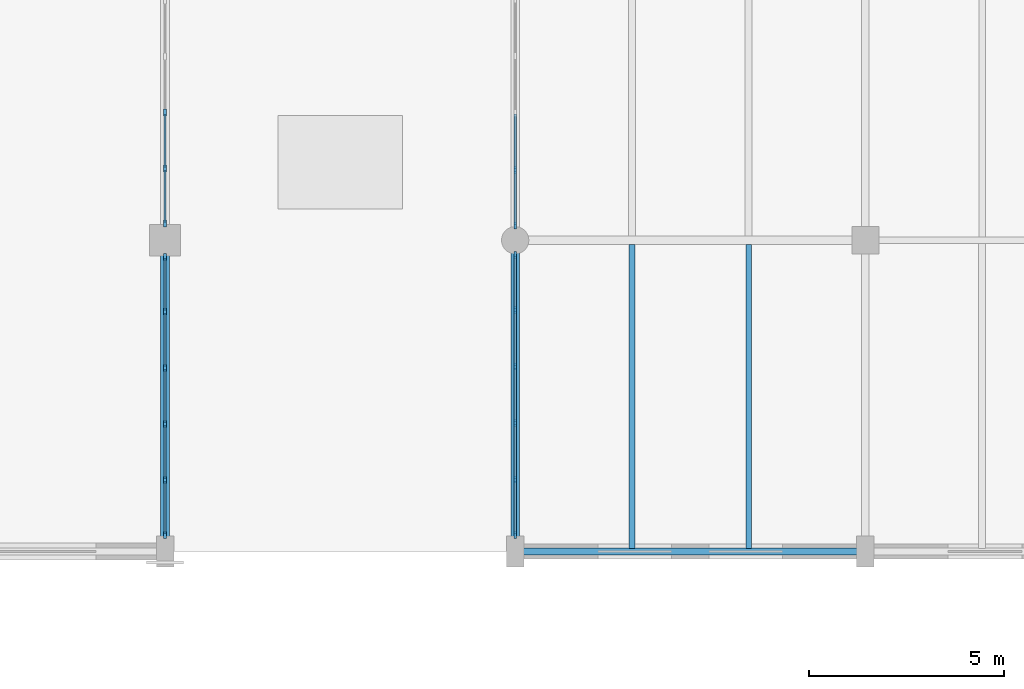
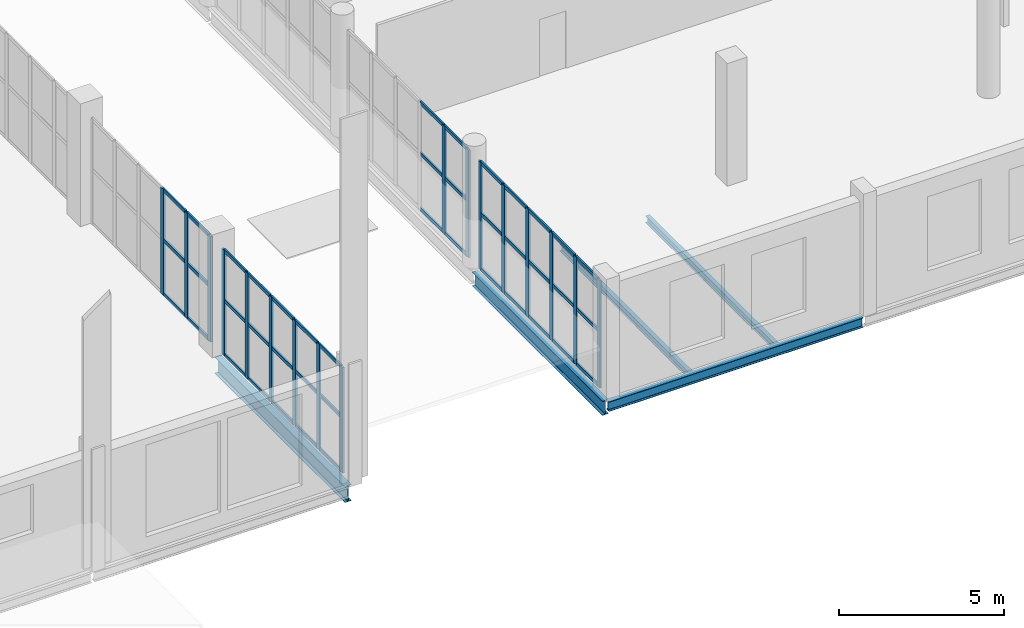
# One storey, part 31 of 93: 59 members, 5 beams, 4 elements without a shape of their own.
"""IFC4 building model written with IfcOpenShell, lengths in metres."""

from ifc_helpers import new_model, si_unit, direction, frame, origin, origin_2d, place, context, subcontext, project, spatial, rectangle, i_section, extrude, material, layer, layer_set, material_profile, profile_set, type_object, element, aggregate, save


model = new_model("IFC4")

# Units and contexts
model_context = context("Model", 3, precision=1e-05, world=origin(), true_north=direction((0.0, 1.0)))
body_context = subcontext(model_context, "Body", "Model", "MODEL_VIEW")
ifc_project = project(units=[si_unit("LENGTHUNIT", "METRE"), si_unit("AREAUNIT", "SQUARE_METRE"), si_unit("VOLUMEUNIT", "CUBIC_METRE"), si_unit("PLANEANGLEUNIT", "RADIAN"), si_unit("MASSUNIT", "GRAM", prefix="KILO")], contexts=[model_context])

# Site, building, storey
site_placement = place(None, origin())
site = spatial("IfcSite", under=ifc_project, at=site_placement, CompositionType="ELEMENT")
building_placement = place(site_placement, origin())
building = spatial("IfcBuilding", under=site, at=building_placement, Name="Marnock Terrace Opera House", CompositionType="ELEMENT")
storey_placement = place(building_placement, frame((0.0, 0.0, 5.39990234375)))
storey = spatial("IfcBuildingStorey", under=building, at=storey_placement, Name="L01", CompositionType="ELEMENT", Elevation=5.39990234375)

# Beams
ifc_material_1 = material(Name="Steel Grade 350 (AS/NZS 3679.1)", Category="steel")
ifc_material_profile_1 = material_profile(ifc_material_1, i_section(OverallWidth=0.208984375, OverallDepth=0.528076171875, WebThickness=0.009521484375, FlangeThickness=0.01318359375, FilletRadius=0.013916015625, at=origin_2d()))
ifc_profile_set_1 = profile_set([ifc_material_profile_1], Name="Steel Grade 350 (AS/NZS 3679.1)")
beam_type_1 = type_object("IfcBeamType", Name="BM-GIRD-530B", PredefinedType="BEAM", material=ifc_profile_set_1)
beam_1_placement = place(storey_placement, frame((118.0, 8.050048828125, -0.5439453125), z_axis=(0.0, 1.0, 0.0), x_axis=(-1.0, 0.0, 0.0)))
element("IfcBeam", 1, at=beam_1_placement, inside=storey, type_object=beam_type_1, Name="L01 girder (X=118.0, 8.0..16.0)", PredefinedType="BEAM", context=body_context, shape_type="SweptSolid", body=[
    extrude(i_section(OverallWidth=0.208984375, OverallDepth=0.528076171875, WebThickness=0.009521484375, FlangeThickness=0.01318359375, FilletRadius=0.013916015625, at=origin_2d()), origin(), (0.0, 0.0, 1.0), 7.89990234375),
])
ifc_material_profile_2 = material_profile(ifc_material_1, i_section(OverallWidth=0.22802734375, OverallDepth=0.60205078125, WebThickness=0.010498046875, FlangeThickness=0.014892578125, FilletRadius=0.013916015625, at=origin_2d()))
ifc_profile_set_2 = profile_set([ifc_material_profile_2], Name="Steel Grade 350 (AS/NZS 3679.1)")
beam_type_2 = type_object("IfcBeamType", Name="BM-GIRD-610C", PredefinedType="BEAM", material=ifc_profile_set_2)
beam_2_placement = place(storey_placement, frame((109.0, 8.050048828125, -0.580810546875), z_axis=(0.0, 1.0, 0.0), x_axis=(-1.0, 0.0, 0.0)))
element("IfcBeam", 2, at=beam_2_placement, inside=storey, type_object=beam_type_2, Name="L01 girder (X=109.0, 8.0..16.0)", PredefinedType="BEAM", context=body_context, shape_type="SweptSolid", body=[
    extrude(i_section(OverallWidth=0.22802734375, OverallDepth=0.60205078125, WebThickness=0.010498046875, FlangeThickness=0.014892578125, FilletRadius=0.013916015625, at=origin_2d()), origin(), (0.0, 0.0, 1.0), 7.89990234375),
])
ifc_material_profile_3 = material_profile(ifc_material_1, i_section(OverallWidth=0.14599609375, OverallDepth=0.256103515625, WebThickness=0.00634765625, FlangeThickness=0.010986328125, FilletRadius=0.0087890625, at=origin_2d()))
ifc_profile_set_3 = profile_set([ifc_material_profile_3], Name="Steel Grade 350 (AS/NZS 3679.1)")
beam_type_3 = type_object("IfcBeamType", Name="BM-JOIST-250", PredefinedType="JOIST", material=ifc_profile_set_3)
for number, where, z_axis, x_axis, name in (
    (3, (121.0, 8.0810546875, -0.407958984375), (0.0, 1.0, 0.0), (-1.0, 0.0, 0.0), "L01 secondary joist 13.1.1"),
    (4, (124.0, 8.0810546875, -0.407958984375), (0.0, 1.0, 0.0), (-1.0, 0.0, 0.0), "L01 secondary joist 13.1.2"),
):
    element("IfcBeam", number, at=place(storey_placement, frame(where, z_axis=z_axis, x_axis=x_axis)), inside=storey, type_object=beam_type_3, Name=name, PredefinedType="JOIST", context=body_context, shape_type="SweptSolid", body=[
        extrude(i_section(OverallWidth=0.14599609375, OverallDepth=0.256103515625, WebThickness=0.00634765625, FlangeThickness=0.010986328125, FilletRadius=0.0087890625, at=origin_2d()), origin(), (0.0, 0.0, 1.0), 7.809326171875),
    ])
ifc_material_profile_4 = material_profile(ifc_material_1, i_section(OverallWidth=0.172119140625, OverallDepth=0.358642578125, WebThickness=0.008056640625, FlangeThickness=0.012939453125, FilletRadius=0.011474609375, at=origin_2d()))
ifc_profile_set_4 = profile_set([ifc_material_profile_4], Name="Steel Grade 350 (AS/NZS 3679.1)")
beam_type_4 = type_object("IfcBeamType", Name="BM-SPAN-360", PredefinedType="SPANDREL", material=ifc_profile_set_4)
beam_3_placement = place(storey_placement, frame((118.050048828125, 8.0, -0.459228515625), z_axis=(1.0, 0.0, 0.0), x_axis=(0.0, 1.0, 0.0)))
element("IfcBeam", 5, at=beam_3_placement, inside=storey, type_object=beam_type_4, Name="L01 girder (118.0..127.0, Y=8.0)", PredefinedType="SPANDREL", context=body_context, shape_type="SweptSolid", body=[
    extrude(i_section(OverallWidth=0.172119140625, OverallDepth=0.358642578125, WebThickness=0.008056640625, FlangeThickness=0.012939453125, FilletRadius=0.011474609375, at=origin_2d()), origin(), (0.0, 0.0, 1.0), 8.89990234375),
])

# Curtain wall, members
ifc_material_2 = material(Name="Anodised architectural bronze aluminium framing", Category="aluminium")
ifc_layer_1 = layer(ifc_material_2, 0.159912109375)
ifc_layer_set_1 = layer_set([ifc_layer_1], Name="Anodised architectural bronze aluminium framing")
curtain_wall_type_1 = type_object("IfcCurtainWallType", Name="CW-FOYER-80x45", PredefinedType="NOTDEFINED", material=ifc_layer_set_1)
curtain_wall_1_placement = place(storey_placement, origin())
curtain_wall_1 = element("IfcCurtainWall", 6, at=curtain_wall_1_placement, inside=storey, type_object=curtain_wall_type_1, Name="L01 glazed Beaux-Arts colonnade curtain wall CW-V1E-L01-01", PredefinedType="NOTDEFINED")
ifc_material_profile_5 = material_profile(ifc_material_2, rectangle(XDim=0.06494140625, YDim=0.179931640625, at=origin_2d()))
ifc_profile_set_5 = profile_set([ifc_material_profile_5], Name="Anodised architectural bronze aluminium framing")
member_type_1 = type_object("IfcMemberType", Name="CWM-65x180", PredefinedType="MULLION", material=ifc_profile_set_5)
member_1_placement = place(storey_placement, frame((109.0, 8.426025390625, 0.0), z_axis=(0.0, 0.0, 1.0), x_axis=(-1.0, 0.0, 0.0)))
member_1 = element("IfcMember", 7, at=member_1_placement, type_object=member_type_1, Name="CW-87 mullion 1", PredefinedType="MULLION", context=body_context, shape_type="SweptSolid", body=[
    extrude(rectangle(XDim=0.06494140625, YDim=0.179931640625, at=origin_2d()), origin(), (0.0, 0.0, 1.0), 3.908203125),
])
member_2_placement = place(storey_placement, frame((109.0, 9.837646484375, 0.0), z_axis=(0.0, 0.0, 1.0), x_axis=(-1.0, 0.0, 0.0)))
member_2 = element("IfcMember", 8, at=member_2_placement, type_object=member_type_1, Name="CW-87 mullion 2", PredefinedType="MULLION", context=body_context, shape_type="SweptSolid", body=[
    extrude(rectangle(XDim=0.06494140625, YDim=0.179931640625, at=origin_2d()), origin(), (0.0, 0.0, 1.0), 3.908203125),
])
member_3_placement = place(storey_placement, frame((109.0, 11.279296875, 0.0), z_axis=(0.0, 0.0, 1.0), x_axis=(-1.0, 0.0, 0.0)))
member_3 = element("IfcMember", 9, at=member_3_placement, type_object=member_type_1, Name="CW-87 mullion 3", PredefinedType="MULLION", context=body_context, shape_type="SweptSolid", body=[
    extrude(rectangle(XDim=0.06494140625, YDim=0.179931640625, at=origin_2d()), origin(), (0.0, 0.0, 1.0), 3.908203125),
])
member_4_placement = place(storey_placement, frame((109.0, 12.720703125, 0.0), z_axis=(0.0, 0.0, 1.0), x_axis=(-1.0, 0.0, 0.0)))
member_4 = element("IfcMember", 10, at=member_4_placement, type_object=member_type_1, Name="CW-87 mullion 4", PredefinedType="MULLION", context=body_context, shape_type="SweptSolid", body=[
    extrude(rectangle(XDim=0.06494140625, YDim=0.179931640625, at=origin_2d()), origin(), (0.0, 0.0, 1.0), 3.908203125),
])
member_5_placement = place(storey_placement, frame((109.0, 14.162353515625, 0.0), z_axis=(0.0, 0.0, 1.0), x_axis=(-1.0, 0.0, 0.0)))
member_5 = element("IfcMember", 11, at=member_5_placement, type_object=member_type_1, Name="CW-87 mullion 5", PredefinedType="MULLION", context=body_context, shape_type="SweptSolid", body=[
    extrude(rectangle(XDim=0.06494140625, YDim=0.179931640625, at=origin_2d()), origin(), (0.0, 0.0, 1.0), 3.908203125),
])
member_6_placement = place(storey_placement, frame((109.0, 15.573974609375, 0.0), z_axis=(0.0, 0.0, 1.0), x_axis=(-1.0, 0.0, 0.0)))
member_6 = element("IfcMember", 12, at=member_6_placement, type_object=member_type_1, Name="CW-87 mullion 6", PredefinedType="MULLION", context=body_context, shape_type="SweptSolid", body=[
    extrude(rectangle(XDim=0.06494140625, YDim=0.179931640625, at=origin_2d()), origin(), (0.0, 0.0, 1.0), 3.908203125),
])

curtain_wall_2_placement = place(storey_placement, origin())
curtain_wall_2 = element("IfcCurtainWall", 13, at=curtain_wall_2_placement, inside=storey, type_object=curtain_wall_type_1, Name="L01 glazed Beaux-Arts colonnade curtain wall CW-V1E-L01-02", PredefinedType="NOTDEFINED")
member_7_placement = place(storey_placement, frame((109.0, 16.426025390625, 0.0), z_axis=(0.0, 0.0, 1.0), x_axis=(-1.0, 0.0, 0.0)))
member_7 = element("IfcMember", 14, at=member_7_placement, type_object=member_type_1, Name="CW-87 mullion 1", PredefinedType="MULLION", context=body_context, shape_type="SweptSolid", body=[
    extrude(rectangle(XDim=0.06494140625, YDim=0.179931640625, at=origin_2d()), origin(), (0.0, 0.0, 1.0), 3.908203125),
])
member_8_placement = place(storey_placement, frame((109.0, 17.837646484375, 0.0), z_axis=(0.0, 0.0, 1.0), x_axis=(-1.0, 0.0, 0.0)))
member_8 = element("IfcMember", 15, at=member_8_placement, type_object=member_type_1, Name="CW-87 mullion 2", PredefinedType="MULLION", context=body_context, shape_type="SweptSolid", body=[
    extrude(rectangle(XDim=0.06494140625, YDim=0.179931640625, at=origin_2d()), origin(), (0.0, 0.0, 1.0), 3.908203125),
])
member_9_placement = place(storey_placement, frame((109.0, 19.279296875, 0.0), z_axis=(0.0, 0.0, 1.0), x_axis=(-1.0, 0.0, 0.0)))
member_9 = element("IfcMember", 16, at=member_9_placement, type_object=member_type_1, Name="CW-87 mullion 3", PredefinedType="MULLION", context=body_context, shape_type="SweptSolid", body=[
    extrude(rectangle(XDim=0.06494140625, YDim=0.179931640625, at=origin_2d()), origin(), (0.0, 0.0, 1.0), 3.908203125),
])

ifc_layer_2 = layer(ifc_material_2, 0.159912109375)
ifc_layer_set_2 = layer_set([ifc_layer_2], Name="Anodised architectural bronze aluminium framing")
curtain_wall_type_2 = type_object("IfcCurtainWallType", Name="CW-LOGGIA-86x45", PredefinedType="NOTDEFINED", material=ifc_layer_set_2)
curtain_wall_3_placement = place(storey_placement, origin())
curtain_wall_3 = element("IfcCurtainWall", 17, at=curtain_wall_3_placement, inside=storey, type_object=curtain_wall_type_2, Name="L01 glazed Beaux-Arts colonnade curtain wall CW-V5-L01-W1", PredefinedType="NOTDEFINED")
member_10_placement = place(storey_placement, frame((118.0, 8.426025390625, 0.0), z_axis=(0.0, 0.0, 1.0), x_axis=(-1.0, 0.0, 0.0)))
member_10 = element("IfcMember", 18, at=member_10_placement, type_object=member_type_1, Name="CW-61 mullion 1", PredefinedType="MULLION", context=body_context, shape_type="SweptSolid", body=[
    extrude(rectangle(XDim=0.06494140625, YDim=0.179931640625, at=origin_2d()), origin(), (0.0, 0.0, 1.0), 3.982177734375),
])
member_11_placement = place(storey_placement, frame((118.0, 9.84765625, 0.0), z_axis=(0.0, 0.0, 1.0), x_axis=(-1.0, 0.0, 0.0)))
member_11 = element("IfcMember", 19, at=member_11_placement, type_object=member_type_1, Name="CW-61 mullion 2", PredefinedType="MULLION", context=body_context, shape_type="SweptSolid", body=[
    extrude(rectangle(XDim=0.06494140625, YDim=0.179931640625, at=origin_2d()), origin(), (0.0, 0.0, 1.0), 3.982177734375),
])
member_12_placement = place(storey_placement, frame((118.0, 11.29931640625, 0.0), z_axis=(0.0, 0.0, 1.0), x_axis=(-1.0, 0.0, 0.0)))
member_12 = element("IfcMember", 20, at=member_12_placement, type_object=member_type_1, Name="CW-61 mullion 3", PredefinedType="MULLION", context=body_context, shape_type="SweptSolid", body=[
    extrude(rectangle(XDim=0.06494140625, YDim=0.179931640625, at=origin_2d()), origin(), (0.0, 0.0, 1.0), 3.982177734375),
])
member_13_placement = place(storey_placement, frame((118.0, 12.750732421875, 0.0), z_axis=(0.0, 0.0, 1.0), x_axis=(-1.0, 0.0, 0.0)))
member_13 = element("IfcMember", 21, at=member_13_placement, type_object=member_type_1, Name="CW-61 mullion 4", PredefinedType="MULLION", context=body_context, shape_type="SweptSolid", body=[
    extrude(rectangle(XDim=0.06494140625, YDim=0.179931640625, at=origin_2d()), origin(), (0.0, 0.0, 1.0), 3.982177734375),
])
member_14_placement = place(storey_placement, frame((118.0, 14.202392578125, 0.0), z_axis=(0.0, 0.0, 1.0), x_axis=(-1.0, 0.0, 0.0)))
member_14 = element("IfcMember", 22, at=member_14_placement, type_object=member_type_1, Name="CW-61 mullion 5", PredefinedType="MULLION", context=body_context, shape_type="SweptSolid", body=[
    extrude(rectangle(XDim=0.06494140625, YDim=0.179931640625, at=origin_2d()), origin(), (0.0, 0.0, 1.0), 3.982177734375),
])
member_15_placement = place(storey_placement, frame((118.0, 15.6240234375, 0.0), z_axis=(0.0, 0.0, 1.0), x_axis=(-1.0, 0.0, 0.0)))
member_15 = element("IfcMember", 23, at=member_15_placement, type_object=member_type_1, Name="CW-61 mullion 6", PredefinedType="MULLION", context=body_context, shape_type="SweptSolid", body=[
    extrude(rectangle(XDim=0.06494140625, YDim=0.179931640625, at=origin_2d()), origin(), (0.0, 0.0, 1.0), 3.982177734375),
])

curtain_wall_4_placement = place(storey_placement, origin())
curtain_wall_4 = element("IfcCurtainWall", 24, at=curtain_wall_4_placement, inside=storey, type_object=curtain_wall_type_2, Name="L01 glazed Beaux-Arts colonnade curtain wall CW-V5-L01-W2", PredefinedType="NOTDEFINED")
member_16_placement = place(storey_placement, frame((118.0, 16.3759765625, 0.0), z_axis=(0.0, 0.0, 1.0), x_axis=(-1.0, 0.0, 0.0)))
member_16 = element("IfcMember", 25, at=member_16_placement, type_object=member_type_1, Name="CW-61 mullion 1", PredefinedType="MULLION", context=body_context, shape_type="SweptSolid", body=[
    extrude(rectangle(XDim=0.06494140625, YDim=0.179931640625, at=origin_2d()), origin(), (0.0, 0.0, 1.0), 3.982177734375),
])
member_17_placement = place(storey_placement, frame((118.0, 17.8076171875, 0.0), z_axis=(0.0, 0.0, 1.0), x_axis=(-1.0, 0.0, 0.0)))
member_17 = element("IfcMember", 26, at=member_17_placement, type_object=member_type_1, Name="CW-61 mullion 2", PredefinedType="MULLION", context=body_context, shape_type="SweptSolid", body=[
    extrude(rectangle(XDim=0.06494140625, YDim=0.179931640625, at=origin_2d()), origin(), (0.0, 0.0, 1.0), 3.982177734375),
])

# Member
ifc_material_profile_6 = material_profile(ifc_material_2, rectangle(XDim=0.06005859375, YDim=0.1298828125, at=origin_2d()))
ifc_profile_set_6 = profile_set([ifc_material_profile_6], Name="Anodised architectural bronze aluminium framing")
member_type_2 = type_object("IfcMemberType", Name="CWT-60x130", PredefinedType="USERDEFINED", material=ifc_profile_set_6)
member_18_placement = place(storey_placement, frame((109.0, 8.4560546875, 0.030029296875), z_axis=(0.0, 1.0, 0.0), x_axis=(-1.0, 0.0, 0.0)))
member_18 = element("IfcMember", 27, at=member_18_placement, type_object=member_type_2, Name="CW-87 transom 1.1", ObjectType="TRANSOM", PredefinedType="USERDEFINED", context=body_context, shape_type="SweptSolid", body=[
    extrude(rectangle(XDim=0.06005859375, YDim=0.1298828125, at=origin_2d()), origin(), (0.0, 0.0, 1.0), 1.3515625),
])

member_19_placement = place(storey_placement, frame((109.0, 8.4560546875, 2.0322265625), z_axis=(0.0, 1.0, 0.0), x_axis=(-1.0, 0.0, 0.0)))
member_19 = element("IfcMember", 28, at=member_19_placement, type_object=member_type_2, Name="CW-87 transom 1.2", ObjectType="TRANSOM", PredefinedType="USERDEFINED", context=body_context, shape_type="SweptSolid", body=[
    extrude(rectangle(XDim=0.06005859375, YDim=0.1298828125, at=origin_2d()), origin(), (0.0, 0.0, 1.0), 1.3515625),
])

member_20_placement = place(storey_placement, frame((109.0, 8.4560546875, 3.878173828125), z_axis=(0.0, 1.0, 0.0), x_axis=(-1.0, 0.0, 0.0)))
member_20 = element("IfcMember", 29, at=member_20_placement, type_object=member_type_2, Name="CW-87 transom 1.3", ObjectType="TRANSOM", PredefinedType="USERDEFINED", context=body_context, shape_type="SweptSolid", body=[
    extrude(rectangle(XDim=0.06005859375, YDim=0.1298828125, at=origin_2d()), origin(), (0.0, 0.0, 1.0), 1.3515625),
])

member_21_placement = place(storey_placement, frame((109.0, 9.86767578125, 0.030029296875), z_axis=(0.0, 1.0, 0.0), x_axis=(-1.0, 0.0, 0.0)))
member_21 = element("IfcMember", 30, at=member_21_placement, type_object=member_type_2, Name="CW-87 transom 2.1", ObjectType="TRANSOM", PredefinedType="USERDEFINED", context=body_context, shape_type="SweptSolid", body=[
    extrude(rectangle(XDim=0.06005859375, YDim=0.1298828125, at=origin_2d()), origin(), (0.0, 0.0, 1.0), 1.381591796875),
])

member_22_placement = place(storey_placement, frame((109.0, 9.86767578125, 2.0322265625), z_axis=(0.0, 1.0, 0.0), x_axis=(-1.0, 0.0, 0.0)))
member_22 = element("IfcMember", 31, at=member_22_placement, type_object=member_type_2, Name="CW-87 transom 2.2", ObjectType="TRANSOM", PredefinedType="USERDEFINED", context=body_context, shape_type="SweptSolid", body=[
    extrude(rectangle(XDim=0.06005859375, YDim=0.1298828125, at=origin_2d()), origin(), (0.0, 0.0, 1.0), 1.381591796875),
])

member_23_placement = place(storey_placement, frame((109.0, 9.86767578125, 3.878173828125), z_axis=(0.0, 1.0, 0.0), x_axis=(-1.0, 0.0, 0.0)))
member_23 = element("IfcMember", 32, at=member_23_placement, type_object=member_type_2, Name="CW-87 transom 2.3", ObjectType="TRANSOM", PredefinedType="USERDEFINED", context=body_context, shape_type="SweptSolid", body=[
    extrude(rectangle(XDim=0.06005859375, YDim=0.1298828125, at=origin_2d()), origin(), (0.0, 0.0, 1.0), 1.381591796875),
])

member_24_placement = place(storey_placement, frame((109.0, 11.30908203125, 0.030029296875), z_axis=(0.0, 1.0, 0.0), x_axis=(-1.0, 0.0, 0.0)))
member_24 = element("IfcMember", 33, at=member_24_placement, type_object=member_type_2, Name="CW-87 transom 3.1", ObjectType="TRANSOM", PredefinedType="USERDEFINED", context=body_context, shape_type="SweptSolid", body=[
    extrude(rectangle(XDim=0.06005859375, YDim=0.1298828125, at=origin_2d()), origin(), (0.0, 0.0, 1.0), 1.3818359375),
])

member_25_placement = place(storey_placement, frame((109.0, 11.30908203125, 2.0322265625), z_axis=(0.0, 1.0, 0.0), x_axis=(-1.0, 0.0, 0.0)))
member_25 = element("IfcMember", 34, at=member_25_placement, type_object=member_type_2, Name="CW-87 transom 3.2", ObjectType="TRANSOM", PredefinedType="USERDEFINED", context=body_context, shape_type="SweptSolid", body=[
    extrude(rectangle(XDim=0.06005859375, YDim=0.1298828125, at=origin_2d()), origin(), (0.0, 0.0, 1.0), 1.3818359375),
])

member_26_placement = place(storey_placement, frame((109.0, 11.30908203125, 3.878173828125), z_axis=(0.0, 1.0, 0.0), x_axis=(-1.0, 0.0, 0.0)))
member_26 = element("IfcMember", 35, at=member_26_placement, type_object=member_type_2, Name="CW-87 transom 3.3", ObjectType="TRANSOM", PredefinedType="USERDEFINED", context=body_context, shape_type="SweptSolid", body=[
    extrude(rectangle(XDim=0.06005859375, YDim=0.1298828125, at=origin_2d()), origin(), (0.0, 0.0, 1.0), 1.3818359375),
])

member_27_placement = place(storey_placement, frame((109.0, 12.750732421875, 0.030029296875), z_axis=(0.0, 1.0, 0.0), x_axis=(-1.0, 0.0, 0.0)))
member_27 = element("IfcMember", 36, at=member_27_placement, type_object=member_type_2, Name="CW-87 transom 4.1", ObjectType="TRANSOM", PredefinedType="USERDEFINED", context=body_context, shape_type="SweptSolid", body=[
    extrude(rectangle(XDim=0.06005859375, YDim=0.1298828125, at=origin_2d()), origin(), (0.0, 0.0, 1.0), 1.381591796875),
])

member_28_placement = place(storey_placement, frame((109.0, 12.750732421875, 2.0322265625), z_axis=(0.0, 1.0, 0.0), x_axis=(-1.0, 0.0, 0.0)))
member_28 = element("IfcMember", 37, at=member_28_placement, type_object=member_type_2, Name="CW-87 transom 4.2", ObjectType="TRANSOM", PredefinedType="USERDEFINED", context=body_context, shape_type="SweptSolid", body=[
    extrude(rectangle(XDim=0.06005859375, YDim=0.1298828125, at=origin_2d()), origin(), (0.0, 0.0, 1.0), 1.381591796875),
])

member_29_placement = place(storey_placement, frame((109.0, 12.750732421875, 3.878173828125), z_axis=(0.0, 1.0, 0.0), x_axis=(-1.0, 0.0, 0.0)))
member_29 = element("IfcMember", 38, at=member_29_placement, type_object=member_type_2, Name="CW-87 transom 4.3", ObjectType="TRANSOM", PredefinedType="USERDEFINED", context=body_context, shape_type="SweptSolid", body=[
    extrude(rectangle(XDim=0.06005859375, YDim=0.1298828125, at=origin_2d()), origin(), (0.0, 0.0, 1.0), 1.381591796875),
])

member_30_placement = place(storey_placement, frame((109.0, 14.1923828125, 0.030029296875), z_axis=(0.0, 1.0, 0.0), x_axis=(-1.0, 0.0, 0.0)))
member_30 = element("IfcMember", 39, at=member_30_placement, type_object=member_type_2, Name="CW-87 transom 5.1", ObjectType="TRANSOM", PredefinedType="USERDEFINED", context=body_context, shape_type="SweptSolid", body=[
    extrude(rectangle(XDim=0.06005859375, YDim=0.1298828125, at=origin_2d()), origin(), (0.0, 0.0, 1.0), 1.3515625),
])

member_31_placement = place(storey_placement, frame((109.0, 14.1923828125, 2.0322265625), z_axis=(0.0, 1.0, 0.0), x_axis=(-1.0, 0.0, 0.0)))
member_31 = element("IfcMember", 40, at=member_31_placement, type_object=member_type_2, Name="CW-87 transom 5.2", ObjectType="TRANSOM", PredefinedType="USERDEFINED", context=body_context, shape_type="SweptSolid", body=[
    extrude(rectangle(XDim=0.06005859375, YDim=0.1298828125, at=origin_2d()), origin(), (0.0, 0.0, 1.0), 1.3515625),
])

member_32_placement = place(storey_placement, frame((109.0, 14.1923828125, 3.878173828125), z_axis=(0.0, 1.0, 0.0), x_axis=(-1.0, 0.0, 0.0)))
member_32 = element("IfcMember", 41, at=member_32_placement, type_object=member_type_2, Name="CW-87 transom 5.3", ObjectType="TRANSOM", PredefinedType="USERDEFINED", context=body_context, shape_type="SweptSolid", body=[
    extrude(rectangle(XDim=0.06005859375, YDim=0.1298828125, at=origin_2d()), origin(), (0.0, 0.0, 1.0), 1.3515625),
])

aggregate(curtain_wall_1, [member_1, member_2, member_3, member_4, member_5, member_6, member_18, member_19, member_20, member_21, member_22, member_23, member_24, member_25, member_26, member_27, member_28, member_29, member_30, member_31, member_32])

member_33_placement = place(storey_placement, frame((109.0, 16.4560546875, 0.030029296875), z_axis=(0.0, 1.0, 0.0), x_axis=(-1.0, 0.0, 0.0)))
member_33 = element("IfcMember", 42, at=member_33_placement, type_object=member_type_2, Name="CW-87 transom 1.1", ObjectType="TRANSOM", PredefinedType="USERDEFINED", context=body_context, shape_type="SweptSolid", body=[
    extrude(rectangle(XDim=0.06005859375, YDim=0.1298828125, at=origin_2d()), origin(), (0.0, 0.0, 1.0), 1.3515625),
])

member_34_placement = place(storey_placement, frame((109.0, 16.4560546875, 2.0322265625), z_axis=(0.0, 1.0, 0.0), x_axis=(-1.0, 0.0, 0.0)))
member_34 = element("IfcMember", 43, at=member_34_placement, type_object=member_type_2, Name="CW-87 transom 1.2", ObjectType="TRANSOM", PredefinedType="USERDEFINED", context=body_context, shape_type="SweptSolid", body=[
    extrude(rectangle(XDim=0.06005859375, YDim=0.1298828125, at=origin_2d()), origin(), (0.0, 0.0, 1.0), 1.3515625),
])

member_35_placement = place(storey_placement, frame((109.0, 16.4560546875, 3.878173828125), z_axis=(0.0, 1.0, 0.0), x_axis=(-1.0, 0.0, 0.0)))
member_35 = element("IfcMember", 44, at=member_35_placement, type_object=member_type_2, Name="CW-87 transom 1.3", ObjectType="TRANSOM", PredefinedType="USERDEFINED", context=body_context, shape_type="SweptSolid", body=[
    extrude(rectangle(XDim=0.06005859375, YDim=0.1298828125, at=origin_2d()), origin(), (0.0, 0.0, 1.0), 1.3515625),
])

member_36_placement = place(storey_placement, frame((109.0, 17.86767578125, 0.030029296875), z_axis=(0.0, 1.0, 0.0), x_axis=(-1.0, 0.0, 0.0)))
member_36 = element("IfcMember", 45, at=member_36_placement, type_object=member_type_2, Name="CW-87 transom 2.1", ObjectType="TRANSOM", PredefinedType="USERDEFINED", context=body_context, shape_type="SweptSolid", body=[
    extrude(rectangle(XDim=0.06005859375, YDim=0.1298828125, at=origin_2d()), origin(), (0.0, 0.0, 1.0), 1.381591796875),
])

member_37_placement = place(storey_placement, frame((109.0, 17.86767578125, 2.0322265625), z_axis=(0.0, 1.0, 0.0), x_axis=(-1.0, 0.0, 0.0)))
member_37 = element("IfcMember", 46, at=member_37_placement, type_object=member_type_2, Name="CW-87 transom 2.2", ObjectType="TRANSOM", PredefinedType="USERDEFINED", context=body_context, shape_type="SweptSolid", body=[
    extrude(rectangle(XDim=0.06005859375, YDim=0.1298828125, at=origin_2d()), origin(), (0.0, 0.0, 1.0), 1.381591796875),
])

member_38_placement = place(storey_placement, frame((109.0, 17.86767578125, 3.878173828125), z_axis=(0.0, 1.0, 0.0), x_axis=(-1.0, 0.0, 0.0)))
member_38 = element("IfcMember", 47, at=member_38_placement, type_object=member_type_2, Name="CW-87 transom 2.3", ObjectType="TRANSOM", PredefinedType="USERDEFINED", context=body_context, shape_type="SweptSolid", body=[
    extrude(rectangle(XDim=0.06005859375, YDim=0.1298828125, at=origin_2d()), origin(), (0.0, 0.0, 1.0), 1.381591796875),
])

aggregate(curtain_wall_2, [member_7, member_8, member_9, member_33, member_34, member_35, member_36, member_37, member_38])

member_39_placement = place(storey_placement, frame((118.0, 8.4560546875, 0.030029296875), z_axis=(0.0, 1.0, 0.0), x_axis=(-1.0, 0.0, 0.0)))
member_39 = element("IfcMember", 48, at=member_39_placement, type_object=member_type_2, Name="CW-61 transom 1.1", ObjectType="TRANSOM", PredefinedType="USERDEFINED", context=body_context, shape_type="SweptSolid", body=[
    extrude(rectangle(XDim=0.06005859375, YDim=0.1298828125, at=origin_2d()), origin(), (0.0, 0.0, 1.0), 1.361572265625),
])

member_40_placement = place(storey_placement, frame((118.0, 8.4560546875, 2.07080078125), z_axis=(0.0, 1.0, 0.0), x_axis=(-1.0, 0.0, 0.0)))
member_40 = element("IfcMember", 49, at=member_40_placement, type_object=member_type_2, Name="CW-61 transom 1.2", ObjectType="TRANSOM", PredefinedType="USERDEFINED", context=body_context, shape_type="SweptSolid", body=[
    extrude(rectangle(XDim=0.06005859375, YDim=0.1298828125, at=origin_2d()), origin(), (0.0, 0.0, 1.0), 1.361572265625),
])

member_41_placement = place(storey_placement, frame((118.0, 8.4560546875, 3.9521484375), z_axis=(0.0, 1.0, 0.0), x_axis=(-1.0, 0.0, 0.0)))
member_41 = element("IfcMember", 50, at=member_41_placement, type_object=member_type_2, Name="CW-61 transom 1.3", ObjectType="TRANSOM", PredefinedType="USERDEFINED", context=body_context, shape_type="SweptSolid", body=[
    extrude(rectangle(XDim=0.06005859375, YDim=0.1298828125, at=origin_2d()), origin(), (0.0, 0.0, 1.0), 1.361572265625),
])

member_42_placement = place(storey_placement, frame((118.0, 9.877685546875, 0.030029296875), z_axis=(0.0, 1.0, 0.0), x_axis=(-1.0, 0.0, 0.0)))
member_42 = element("IfcMember", 51, at=member_42_placement, type_object=member_type_2, Name="CW-61 transom 2.1", ObjectType="TRANSOM", PredefinedType="USERDEFINED", context=body_context, shape_type="SweptSolid", body=[
    extrude(rectangle(XDim=0.06005859375, YDim=0.1298828125, at=origin_2d()), origin(), (0.0, 0.0, 1.0), 1.3916015625),
])

member_43_placement = place(storey_placement, frame((118.0, 9.877685546875, 2.07080078125), z_axis=(0.0, 1.0, 0.0), x_axis=(-1.0, 0.0, 0.0)))
member_43 = element("IfcMember", 52, at=member_43_placement, type_object=member_type_2, Name="CW-61 transom 2.2", ObjectType="TRANSOM", PredefinedType="USERDEFINED", context=body_context, shape_type="SweptSolid", body=[
    extrude(rectangle(XDim=0.06005859375, YDim=0.1298828125, at=origin_2d()), origin(), (0.0, 0.0, 1.0), 1.3916015625),
])

member_44_placement = place(storey_placement, frame((118.0, 9.877685546875, 3.9521484375), z_axis=(0.0, 1.0, 0.0), x_axis=(-1.0, 0.0, 0.0)))
member_44 = element("IfcMember", 53, at=member_44_placement, type_object=member_type_2, Name="CW-61 transom 2.3", ObjectType="TRANSOM", PredefinedType="USERDEFINED", context=body_context, shape_type="SweptSolid", body=[
    extrude(rectangle(XDim=0.06005859375, YDim=0.1298828125, at=origin_2d()), origin(), (0.0, 0.0, 1.0), 1.3916015625),
])

member_45_placement = place(storey_placement, frame((118.0, 11.3291015625, 0.030029296875), z_axis=(0.0, 1.0, 0.0), x_axis=(-1.0, 0.0, 0.0)))
member_45 = element("IfcMember", 54, at=member_45_placement, type_object=member_type_2, Name="CW-61 transom 3.1", ObjectType="TRANSOM", PredefinedType="USERDEFINED", context=body_context, shape_type="SweptSolid", body=[
    extrude(rectangle(XDim=0.06005859375, YDim=0.1298828125, at=origin_2d()), origin(), (0.0, 0.0, 1.0), 1.3916015625),
])

member_46_placement = place(storey_placement, frame((118.0, 11.3291015625, 2.07080078125), z_axis=(0.0, 1.0, 0.0), x_axis=(-1.0, 0.0, 0.0)))
member_46 = element("IfcMember", 55, at=member_46_placement, type_object=member_type_2, Name="CW-61 transom 3.2", ObjectType="TRANSOM", PredefinedType="USERDEFINED", context=body_context, shape_type="SweptSolid", body=[
    extrude(rectangle(XDim=0.06005859375, YDim=0.1298828125, at=origin_2d()), origin(), (0.0, 0.0, 1.0), 1.3916015625),
])

member_47_placement = place(storey_placement, frame((118.0, 11.3291015625, 3.9521484375), z_axis=(0.0, 1.0, 0.0), x_axis=(-1.0, 0.0, 0.0)))
member_47 = element("IfcMember", 56, at=member_47_placement, type_object=member_type_2, Name="CW-61 transom 3.3", ObjectType="TRANSOM", PredefinedType="USERDEFINED", context=body_context, shape_type="SweptSolid", body=[
    extrude(rectangle(XDim=0.06005859375, YDim=0.1298828125, at=origin_2d()), origin(), (0.0, 0.0, 1.0), 1.3916015625),
])

member_48_placement = place(storey_placement, frame((118.0, 12.78076171875, 0.030029296875), z_axis=(0.0, 1.0, 0.0), x_axis=(-1.0, 0.0, 0.0)))
member_48 = element("IfcMember", 57, at=member_48_placement, type_object=member_type_2, Name="CW-61 transom 4.1", ObjectType="TRANSOM", PredefinedType="USERDEFINED", context=body_context, shape_type="SweptSolid", body=[
    extrude(rectangle(XDim=0.06005859375, YDim=0.1298828125, at=origin_2d()), origin(), (0.0, 0.0, 1.0), 1.3916015625),
])

member_49_placement = place(storey_placement, frame((118.0, 12.78076171875, 2.07080078125), z_axis=(0.0, 1.0, 0.0), x_axis=(-1.0, 0.0, 0.0)))
member_49 = element("IfcMember", 58, at=member_49_placement, type_object=member_type_2, Name="CW-61 transom 4.2", ObjectType="TRANSOM", PredefinedType="USERDEFINED", context=body_context, shape_type="SweptSolid", body=[
    extrude(rectangle(XDim=0.06005859375, YDim=0.1298828125, at=origin_2d()), origin(), (0.0, 0.0, 1.0), 1.3916015625),
])

member_50_placement = place(storey_placement, frame((118.0, 12.78076171875, 3.9521484375), z_axis=(0.0, 1.0, 0.0), x_axis=(-1.0, 0.0, 0.0)))
member_50 = element("IfcMember", 59, at=member_50_placement, type_object=member_type_2, Name="CW-61 transom 4.3", ObjectType="TRANSOM", PredefinedType="USERDEFINED", context=body_context, shape_type="SweptSolid", body=[
    extrude(rectangle(XDim=0.06005859375, YDim=0.1298828125, at=origin_2d()), origin(), (0.0, 0.0, 1.0), 1.3916015625),
])

member_51_placement = place(storey_placement, frame((118.0, 14.232421875, 0.030029296875), z_axis=(0.0, 1.0, 0.0), x_axis=(-1.0, 0.0, 0.0)))
member_51 = element("IfcMember", 60, at=member_51_placement, type_object=member_type_2, Name="CW-61 transom 5.1", ObjectType="TRANSOM", PredefinedType="USERDEFINED", context=body_context, shape_type="SweptSolid", body=[
    extrude(rectangle(XDim=0.06005859375, YDim=0.1298828125, at=origin_2d()), origin(), (0.0, 0.0, 1.0), 1.361572265625),
])

member_52_placement = place(storey_placement, frame((118.0, 14.232421875, 2.07080078125), z_axis=(0.0, 1.0, 0.0), x_axis=(-1.0, 0.0, 0.0)))
member_52 = element("IfcMember", 61, at=member_52_placement, type_object=member_type_2, Name="CW-61 transom 5.2", ObjectType="TRANSOM", PredefinedType="USERDEFINED", context=body_context, shape_type="SweptSolid", body=[
    extrude(rectangle(XDim=0.06005859375, YDim=0.1298828125, at=origin_2d()), origin(), (0.0, 0.0, 1.0), 1.361572265625),
])

member_53_placement = place(storey_placement, frame((118.0, 14.232421875, 3.9521484375), z_axis=(0.0, 1.0, 0.0), x_axis=(-1.0, 0.0, 0.0)))
member_53 = element("IfcMember", 62, at=member_53_placement, type_object=member_type_2, Name="CW-61 transom 5.3", ObjectType="TRANSOM", PredefinedType="USERDEFINED", context=body_context, shape_type="SweptSolid", body=[
    extrude(rectangle(XDim=0.06005859375, YDim=0.1298828125, at=origin_2d()), origin(), (0.0, 0.0, 1.0), 1.361572265625),
])

aggregate(curtain_wall_3, [member_10, member_11, member_12, member_13, member_14, member_15, member_39, member_40, member_41, member_42, member_43, member_44, member_45, member_46, member_47, member_48, member_49, member_50, member_51, member_52, member_53])

member_54_placement = place(storey_placement, frame((118.0, 16.406005859375, 0.030029296875), z_axis=(0.0, 1.0, 0.0), x_axis=(-1.0, 0.0, 0.0)))
member_54 = element("IfcMember", 63, at=member_54_placement, type_object=member_type_2, Name="CW-61 transom 1.1", ObjectType="TRANSOM", PredefinedType="USERDEFINED", context=body_context, shape_type="SweptSolid", body=[
    extrude(rectangle(XDim=0.06005859375, YDim=0.1298828125, at=origin_2d()), origin(), (0.0, 0.0, 1.0), 1.37158203125),
])

member_55_placement = place(storey_placement, frame((118.0, 16.406005859375, 2.07080078125), z_axis=(0.0, 1.0, 0.0), x_axis=(-1.0, 0.0, 0.0)))
member_55 = element("IfcMember", 64, at=member_55_placement, type_object=member_type_2, Name="CW-61 transom 1.2", ObjectType="TRANSOM", PredefinedType="USERDEFINED", context=body_context, shape_type="SweptSolid", body=[
    extrude(rectangle(XDim=0.06005859375, YDim=0.1298828125, at=origin_2d()), origin(), (0.0, 0.0, 1.0), 1.37158203125),
])

member_56_placement = place(storey_placement, frame((118.0, 16.406005859375, 3.9521484375), z_axis=(0.0, 1.0, 0.0), x_axis=(-1.0, 0.0, 0.0)))
member_56 = element("IfcMember", 65, at=member_56_placement, type_object=member_type_2, Name="CW-61 transom 1.3", ObjectType="TRANSOM", PredefinedType="USERDEFINED", context=body_context, shape_type="SweptSolid", body=[
    extrude(rectangle(XDim=0.06005859375, YDim=0.1298828125, at=origin_2d()), origin(), (0.0, 0.0, 1.0), 1.37158203125),
])

member_57_placement = place(storey_placement, frame((118.0, 17.837646484375, 0.030029296875), z_axis=(0.0, 1.0, 0.0), x_axis=(-1.0, 0.0, 0.0)))
member_57 = element("IfcMember", 66, at=member_57_placement, type_object=member_type_2, Name="CW-61 transom 2.1", ObjectType="TRANSOM", PredefinedType="USERDEFINED", context=body_context, shape_type="SweptSolid", body=[
    extrude(rectangle(XDim=0.06005859375, YDim=0.1298828125, at=origin_2d()), origin(), (0.0, 0.0, 1.0), 1.401611328125),
])

member_58_placement = place(storey_placement, frame((118.0, 17.837646484375, 2.07080078125), z_axis=(0.0, 1.0, 0.0), x_axis=(-1.0, 0.0, 0.0)))
member_58 = element("IfcMember", 67, at=member_58_placement, type_object=member_type_2, Name="CW-61 transom 2.2", ObjectType="TRANSOM", PredefinedType="USERDEFINED", context=body_context, shape_type="SweptSolid", body=[
    extrude(rectangle(XDim=0.06005859375, YDim=0.1298828125, at=origin_2d()), origin(), (0.0, 0.0, 1.0), 1.401611328125),
])

member_59_placement = place(storey_placement, frame((118.0, 17.837646484375, 3.9521484375), z_axis=(0.0, 1.0, 0.0), x_axis=(-1.0, 0.0, 0.0)))
member_59 = element("IfcMember", 68, at=member_59_placement, type_object=member_type_2, Name="CW-61 transom 2.3", ObjectType="TRANSOM", PredefinedType="USERDEFINED", context=body_context, shape_type="SweptSolid", body=[
    extrude(rectangle(XDim=0.06005859375, YDim=0.1298828125, at=origin_2d()), origin(), (0.0, 0.0, 1.0), 1.401611328125),
])

aggregate(curtain_wall_4, [member_16, member_17, member_54, member_55, member_56, member_57, member_58, member_59])

save(model, "model.ifc")
